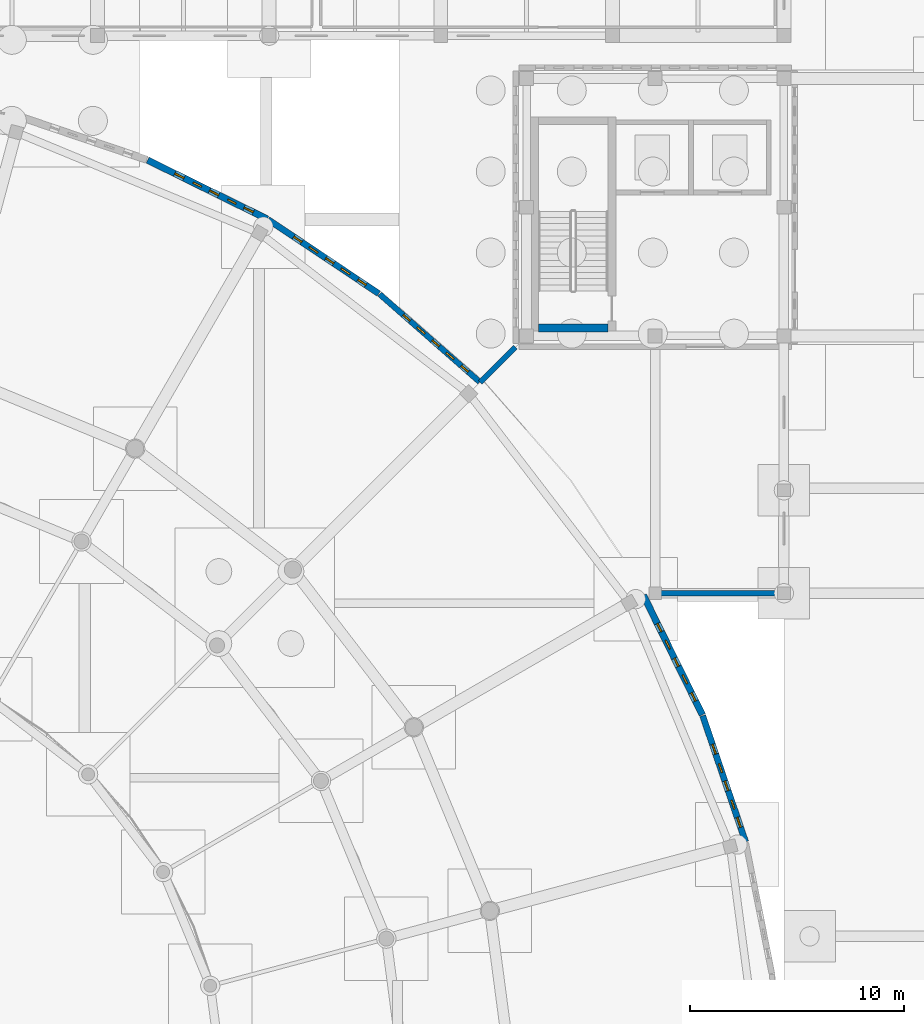
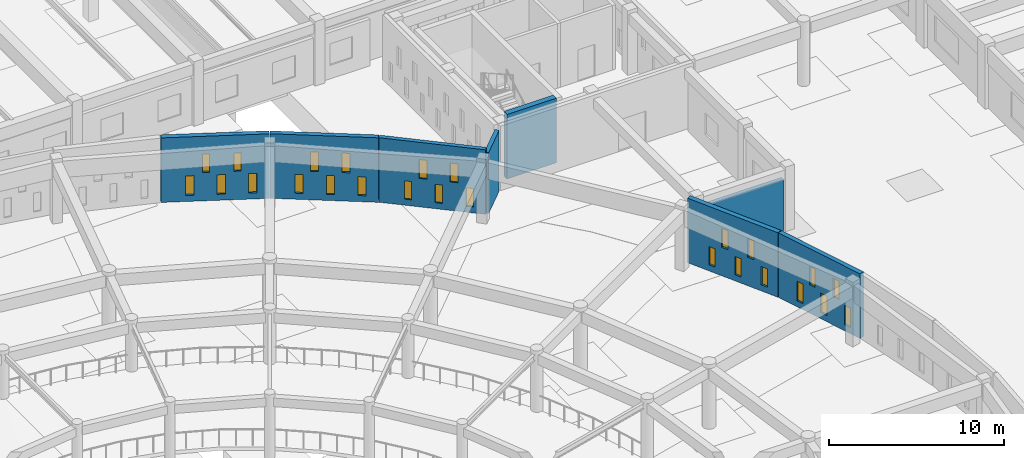
# One storey, part 55 of 84: 25 windows, 8 walls, 25 openings.
"""IFC4 building model written with IfcOpenShell, lengths in metres."""

from ifc_helpers import new_model, si_unit, direction, frame, frame_2d, origin, place, context, subcontext, project, spatial, rectangle, extrude, material, layer, layer_set, type_object, element, fill, save


model = new_model("IFC4")

# Units and contexts
model_context = context("Model", 3, precision=1e-05, world=origin(), true_north=direction((0.0, 1.0)))
body_context = subcontext(model_context, "Body", "Model", "MODEL_VIEW")
ifc_project = project(units=[si_unit("LENGTHUNIT", "METRE"), si_unit("AREAUNIT", "SQUARE_METRE"), si_unit("VOLUMEUNIT", "CUBIC_METRE"), si_unit("PLANEANGLEUNIT", "RADIAN"), si_unit("MASSUNIT", "GRAM", prefix="KILO")], contexts=[model_context])

# Site, building, storey
site_placement = place(None, origin())
site = spatial("IfcSite", under=ifc_project, at=site_placement, CompositionType="ELEMENT")
building_placement = place(site_placement, origin())
building = spatial("IfcBuilding", under=site, at=building_placement, Name="Larkveld Mobility Hub", CompositionType="ELEMENT")
storey_placement = place(building_placement, origin())
storey = spatial("IfcBuildingStorey", under=building, at=storey_placement, Name="L00", CompositionType="ELEMENT", Elevation=0.0)

# Wall, openings, windows
ifc_material_1 = material(Name="Fired clay brick 25 MPa", Category="masonry")
ifc_layer_1 = layer(ifc_material_1, 0.260009765625, Name="Fired clay brick 25 MPa", Category="masonry")
ifc_layer_set_1 = layer_set([ifc_layer_1], Name="Fired clay brick 25 MPa")
wall_type_1 = type_object("IfcWallType", Name="WL-BRK-260", PredefinedType="USERDEFINED", material=ifc_layer_set_1)
wall_1_placement = place(storey_placement, frame((81.81689453125, 81.85107421875, 0.0), z_axis=(0.0, 0.0, 1.0), x_axis=(-0.751874993266, 0.65930569124, 0.0)))
wall_1 = element("IfcWall", 1, at=wall_1_placement, inside=storey, type_object=wall_type_1, Name="Drum Woven Open-Bond Brick Chord L00-0005", ObjectType="PERFORATED BRICK SCREEN", PredefinedType="USERDEFINED", context=body_context, shape_type="SweptSolid", body=[
    extrude(rectangle(XDim=6.2109375, YDim=0.260009765625, at=frame_2d((3.10546875, 0.0))), origin(), (0.0, 0.0, 1.0), 4.5),
])
opening_1_placement = place(wall_1_placement, frame((0.719970703125, 0.0, 0.419921875)))
opening_1 = element("IfcOpeningElement", 2, at=opening_1_placement, cuts=wall_1, Name="Opening W01", PredefinedType="OPENING", context=body_context, shape_type="SweptSolid", body=[
    extrude(rectangle(XDim=0.419921875, YDim=1.280029296875, at=frame_2d((0.2099609375, 0.64013671875))), frame((0.0, 0.14013671875, 0.0), z_axis=(0.0, -1.0, 0.0), x_axis=(1.0, 0.0, 0.0)), (0.0, 0.0, 1.0), 0.280029296875),
])
opening_2_placement = place(wall_1_placement, frame((2.52001953125, 0.0, 0.419921875)))
opening_2 = element("IfcOpeningElement", 3, at=opening_2_placement, cuts=wall_1, Name="Opening W01", PredefinedType="OPENING", context=body_context, shape_type="SweptSolid", body=[
    extrude(rectangle(XDim=0.419921875, YDim=1.280029296875, at=frame_2d((0.2099609375, 0.64013671875))), frame((0.0, 0.14013671875, 0.0), z_axis=(0.0, -1.0, 0.0), x_axis=(1.0, 0.0, 0.0)), (0.0, 0.0, 1.0), 0.280029296875),
])
opening_3_placement = place(wall_1_placement, frame((4.320068359375, 0.0, 0.419921875)))
opening_3 = element("IfcOpeningElement", 4, at=opening_3_placement, cuts=wall_1, Name="Opening W01", PredefinedType="OPENING", context=body_context, shape_type="SweptSolid", body=[
    extrude(rectangle(XDim=0.419921875, YDim=1.280029296875, at=frame_2d((0.2099609375, 0.64013671875))), frame((0.0, 0.14013671875, 0.0), z_axis=(0.0, -1.0, 0.0), x_axis=(1.0, 0.0, 0.0)), (0.0, 0.0, 1.0), 0.280029296875),
])
opening_4_placement = place(wall_1_placement, frame((1.6201171875, 0.0, 1.97998046875)))
opening_4 = element("IfcOpeningElement", 5, at=opening_4_placement, cuts=wall_1, Name="Opening W02", PredefinedType="OPENING", context=body_context, shape_type="SweptSolid", body=[
    extrude(rectangle(XDim=0.449951171875, YDim=1.320068359375, at=frame_2d((0.22509765625, 0.66015625))), frame((0.0, 0.14013671875, 0.0), z_axis=(0.0, -1.0, 0.0), x_axis=(1.0, 0.0, 0.0)), (0.0, 0.0, 1.0), 0.280029296875),
])
opening_5_placement = place(wall_1_placement, frame((3.419921875, 0.0, 1.97998046875)))
opening_5 = element("IfcOpeningElement", 6, at=opening_5_placement, cuts=wall_1, Name="Opening W02", PredefinedType="OPENING", context=body_context, shape_type="SweptSolid", body=[
    extrude(rectangle(XDim=0.449951171875, YDim=1.320068359375, at=frame_2d((0.22509765625, 0.66015625))), frame((0.0, 0.14013671875, 0.0), z_axis=(0.0, -1.0, 0.0), x_axis=(1.0, 0.0, 0.0)), (0.0, 0.0, 1.0), 0.280029296875),
])
ifc_material_2 = material(Name="Extruded aluminium ventilation grille", Category="aluminium")
window_type_1 = type_object("IfcWindowType", Name="WN-VENT-01", PartitioningType="SINGLE_PANEL", PredefinedType="WINDOW", material=ifc_material_2)
window_1_placement = place(opening_1_placement, origin())
window_1 = element("IfcWindow", 7, at=window_1_placement, inside=storey, type_object=window_type_1, Name="Window W01 (0021)", OverallHeight=1.280029296875, OverallWidth=0.419921875, PartitioningType="SINGLE_PANEL", PredefinedType="WINDOW", context=body_context, shape_type="SweptSolid", body=[
    extrude(rectangle(XDim=0.419921875, YDim=1.280029296875, at=frame_2d((0.2099609375, 0.64013671875))), frame((0.0, 0.030029296875, 0.0), z_axis=(0.0, -1.0, 0.0), x_axis=(1.0, 0.0, 0.0)), (0.0, 0.0, 1.0), 0.06005859375),
])
fill(opening_1, window_1)
window_2_placement = place(opening_2_placement, origin())
window_2 = element("IfcWindow", 8, at=window_2_placement, inside=storey, type_object=window_type_1, Name="Window W01 (0022)", OverallHeight=1.280029296875, OverallWidth=0.419921875, PartitioningType="SINGLE_PANEL", PredefinedType="WINDOW", context=body_context, shape_type="SweptSolid", body=[
    extrude(rectangle(XDim=0.419921875, YDim=1.280029296875, at=frame_2d((0.2099609375, 0.64013671875))), frame((0.0, 0.030029296875, 0.0), z_axis=(0.0, -1.0, 0.0), x_axis=(1.0, 0.0, 0.0)), (0.0, 0.0, 1.0), 0.06005859375),
])
fill(opening_2, window_2)
window_3_placement = place(opening_3_placement, origin())
window_3 = element("IfcWindow", 9, at=window_3_placement, inside=storey, type_object=window_type_1, Name="Window W01 (0023)", OverallHeight=1.280029296875, OverallWidth=0.419921875, PartitioningType="SINGLE_PANEL", PredefinedType="WINDOW", context=body_context, shape_type="SweptSolid", body=[
    extrude(rectangle(XDim=0.419921875, YDim=1.280029296875, at=frame_2d((0.2099609375, 0.64013671875))), frame((0.0, 0.030029296875, 0.0), z_axis=(0.0, -1.0, 0.0), x_axis=(1.0, 0.0, 0.0)), (0.0, 0.0, 1.0), 0.06005859375),
])
fill(opening_3, window_3)
window_type_2 = type_object("IfcWindowType", Name="WN-VENT-02", PartitioningType="SINGLE_PANEL", PredefinedType="WINDOW", material=ifc_material_2)
window_4_placement = place(opening_4_placement, origin())
window_4 = element("IfcWindow", 10, at=window_4_placement, inside=storey, type_object=window_type_2, Name="Window W02 (0024)", OverallHeight=1.320068359375, OverallWidth=0.449951171875, PartitioningType="SINGLE_PANEL", PredefinedType="WINDOW", context=body_context, shape_type="SweptSolid", body=[
    extrude(rectangle(XDim=0.449951171875, YDim=1.320068359375, at=frame_2d((0.22509765625, 0.66015625))), frame((0.0, 0.030029296875, 0.0), z_axis=(0.0, -1.0, 0.0), x_axis=(1.0, 0.0, 0.0)), (0.0, 0.0, 1.0), 0.06005859375),
])
fill(opening_4, window_4)
window_5_placement = place(opening_5_placement, origin())
window_5 = element("IfcWindow", 11, at=window_5_placement, inside=storey, type_object=window_type_2, Name="Window W02 (0025)", OverallHeight=1.320068359375, OverallWidth=0.449951171875, PartitioningType="SINGLE_PANEL", PredefinedType="WINDOW", context=body_context, shape_type="SweptSolid", body=[
    extrude(rectangle(XDim=0.449951171875, YDim=1.320068359375, at=frame_2d((0.22509765625, 0.66015625))), frame((0.0, 0.030029296875, 0.0), z_axis=(0.0, -1.0, 0.0), x_axis=(1.0, 0.0, 0.0)), (0.0, 0.0, 1.0), 0.06005859375),
])
fill(opening_5, window_5)

# Walls
wall_2_placement = place(storey_placement, frame((89.7490234375, 72.0, 0.0), z_axis=(0.0, 0.0, 1.0), x_axis=(1.0, 0.0, 0.0)))
element("IfcWall", 12, at=wall_2_placement, inside=storey, type_object=wall_type_1, Name="Drum Link South Wall L00-0157", ObjectType="PERFORATED BRICK SCREEN", PredefinedType="USERDEFINED", context=body_context, shape_type="SweptSolid", body=[
    extrude(rectangle(XDim=5.94091796875, YDim=0.260009765625, at=frame_2d((2.970458984375, 0.0))), origin(), (0.0, 0.0, 1.0), 3.544921875),
])
wall_3_placement = place(storey_placement, frame((83.47998046875, 83.47998046875, 0.0), z_axis=(0.0, 0.0, 1.0), x_axis=(-0.707106781187, -0.707106781187, 0.0)))
element("IfcWall", 13, at=wall_3_placement, inside=storey, type_object=wall_type_1, Name="Drum Link West Seal Wall L00-0159", ObjectType="PERFORATED BRICK SCREEN", PredefinedType="USERDEFINED", context=body_context, shape_type="SweptSolid", body=[
    extrude(rectangle(XDim=2.326416015625, YDim=0.260009765625, at=frame_2d((1.1630859375, 0.0))), origin(), (0.0, 0.0, 1.0), 4.2451171875),
])

# Wall, openings, windows
ifc_layer_2 = layer(ifc_material_1, 0.2900390625, Name="Fired clay brick 25 MPa", Category="masonry")
ifc_layer_set_2 = layer_set([ifc_layer_2], Name="Fired clay brick 25 MPa")
wall_type_2 = type_object("IfcWallType", Name="WL-BRK-290", PredefinedType="USERDEFINED", material=ifc_layer_set_2)
wall_4_placement = place(storey_placement, frame((94.2119140625, 60.406982421875, 0.0), z_axis=(0.0, 0.0, 1.0), x_axis=(-0.321364960579, 0.946955417172, 0.0)))
wall_4 = element("IfcWall", 14, at=wall_4_placement, inside=storey, type_object=wall_type_2, Name="Drum Woven Open-Bond Brick Chord L00-0003", ObjectType="PERFORATED BRICK SCREEN", PredefinedType="USERDEFINED", context=body_context, shape_type="SweptSolid", body=[
    extrude(rectangle(XDim=6.21044921875, YDim=0.2900390625, at=frame_2d((3.105224609375, 0.0))), origin(), (0.0, 0.0, 1.0), 4.5),
])
opening_6_placement = place(wall_4_placement, frame((0.719970703125, 0.0, 0.419921875)))
opening_6 = element("IfcOpeningElement", 15, at=opening_6_placement, cuts=wall_4, Name="Opening W03", PredefinedType="OPENING", context=body_context, shape_type="SweptSolid", body=[
    extrude(rectangle(XDim=0.47998046875, YDim=1.360107421875, at=frame_2d((0.239990234375, 0.68017578125))), frame((0.0, 0.155029296875, 0.0), z_axis=(0.0, -1.0, 0.0), x_axis=(1.0, 0.0, 0.0)), (0.0, 0.0, 1.0), 0.31005859375),
])
opening_7_placement = place(wall_4_placement, frame((2.52001953125, 0.0, 0.419921875)))
opening_7 = element("IfcOpeningElement", 16, at=opening_7_placement, cuts=wall_4, Name="Opening W03", PredefinedType="OPENING", context=body_context, shape_type="SweptSolid", body=[
    extrude(rectangle(XDim=0.47998046875, YDim=1.360107421875, at=frame_2d((0.239990234375, 0.68017578125))), frame((0.0, 0.155029296875, 0.0), z_axis=(0.0, -1.0, 0.0), x_axis=(1.0, 0.0, 0.0)), (0.0, 0.0, 1.0), 0.31005859375),
])
opening_8_placement = place(wall_4_placement, frame((4.320068359375, 0.0, 0.419921875)))
opening_8 = element("IfcOpeningElement", 17, at=opening_8_placement, cuts=wall_4, Name="Opening W03", PredefinedType="OPENING", context=body_context, shape_type="SweptSolid", body=[
    extrude(rectangle(XDim=0.47998046875, YDim=1.360107421875, at=frame_2d((0.239990234375, 0.68017578125))), frame((0.0, 0.155029296875, 0.0), z_axis=(0.0, -1.0, 0.0), x_axis=(1.0, 0.0, 0.0)), (0.0, 0.0, 1.0), 0.31005859375),
])
opening_9_placement = place(wall_4_placement, frame((1.6201171875, 0.0, 1.97998046875)))
opening_9 = element("IfcOpeningElement", 18, at=opening_9_placement, cuts=wall_4, Name="Opening W01", PredefinedType="OPENING", context=body_context, shape_type="SweptSolid", body=[
    extrude(rectangle(XDim=0.419921875, YDim=1.280029296875, at=frame_2d((0.2099609375, 0.64013671875))), frame((0.0, 0.155029296875, 0.0), z_axis=(0.0, -1.0, 0.0), x_axis=(1.0, 0.0, 0.0)), (0.0, 0.0, 1.0), 0.31005859375),
])
opening_10_placement = place(wall_4_placement, frame((3.419921875, 0.0, 1.97998046875)))
opening_10 = element("IfcOpeningElement", 19, at=opening_10_placement, cuts=wall_4, Name="Opening W01", PredefinedType="OPENING", context=body_context, shape_type="SweptSolid", body=[
    extrude(rectangle(XDim=0.419921875, YDim=1.280029296875, at=frame_2d((0.2099609375, 0.64013671875))), frame((0.0, 0.155029296875, 0.0), z_axis=(0.0, -1.0, 0.0), x_axis=(1.0, 0.0, 0.0)), (0.0, 0.0, 1.0), 0.31005859375),
])
window_6_placement = place(opening_9_placement, origin())
window_6 = element("IfcWindow", 20, at=window_6_placement, inside=storey, type_object=window_type_1, Name="Window W01 (0014)", OverallHeight=1.280029296875, OverallWidth=0.419921875, PartitioningType="SINGLE_PANEL", PredefinedType="WINDOW", context=body_context, shape_type="SweptSolid", body=[
    extrude(rectangle(XDim=0.419921875, YDim=1.280029296875, at=frame_2d((0.2099609375, 0.64013671875))), frame((0.0, 0.030029296875, 0.0), z_axis=(0.0, -1.0, 0.0), x_axis=(1.0, 0.0, 0.0)), (0.0, 0.0, 1.0), 0.06005859375),
])
fill(opening_9, window_6)
window_7_placement = place(opening_10_placement, origin())
window_7 = element("IfcWindow", 21, at=window_7_placement, inside=storey, type_object=window_type_1, Name="Window W01 (0015)", OverallHeight=1.280029296875, OverallWidth=0.419921875, PartitioningType="SINGLE_PANEL", PredefinedType="WINDOW", context=body_context, shape_type="SweptSolid", body=[
    extrude(rectangle(XDim=0.419921875, YDim=1.280029296875, at=frame_2d((0.2099609375, 0.64013671875))), frame((0.0, 0.030029296875, 0.0), z_axis=(0.0, -1.0, 0.0), x_axis=(1.0, 0.0, 0.0)), (0.0, 0.0, 1.0), 0.06005859375),
])
fill(opening_10, window_7)
window_type_3 = type_object("IfcWindowType", Name="WN-VENT-03", PartitioningType="SINGLE_PANEL", PredefinedType="WINDOW", material=ifc_material_2)
window_8_placement = place(opening_6_placement, origin())
window_8 = element("IfcWindow", 22, at=window_8_placement, inside=storey, type_object=window_type_3, Name="Window W03 (0011)", OverallHeight=1.360107421875, OverallWidth=0.47998046875, PartitioningType="SINGLE_PANEL", PredefinedType="WINDOW", context=body_context, shape_type="SweptSolid", body=[
    extrude(rectangle(XDim=0.47998046875, YDim=1.360107421875, at=frame_2d((0.239990234375, 0.68017578125))), frame((0.0, 0.030029296875, 0.0), z_axis=(0.0, -1.0, 0.0), x_axis=(1.0, 0.0, 0.0)), (0.0, 0.0, 1.0), 0.06005859375),
])
fill(opening_6, window_8)
window_9_placement = place(opening_7_placement, origin())
window_9 = element("IfcWindow", 23, at=window_9_placement, inside=storey, type_object=window_type_3, Name="Window W03 (0012)", OverallHeight=1.360107421875, OverallWidth=0.47998046875, PartitioningType="SINGLE_PANEL", PredefinedType="WINDOW", context=body_context, shape_type="SweptSolid", body=[
    extrude(rectangle(XDim=0.47998046875, YDim=1.360107421875, at=frame_2d((0.239990234375, 0.68017578125))), frame((0.0, 0.030029296875, 0.0), z_axis=(0.0, -1.0, 0.0), x_axis=(1.0, 0.0, 0.0)), (0.0, 0.0, 1.0), 0.06005859375),
])
fill(opening_7, window_9)
window_10_placement = place(opening_8_placement, origin())
window_10 = element("IfcWindow", 24, at=window_10_placement, inside=storey, type_object=window_type_3, Name="Window W03 (0013)", OverallHeight=1.360107421875, OverallWidth=0.47998046875, PartitioningType="SINGLE_PANEL", PredefinedType="WINDOW", context=body_context, shape_type="SweptSolid", body=[
    extrude(rectangle(XDim=0.47998046875, YDim=1.360107421875, at=frame_2d((0.239990234375, 0.68017578125))), frame((0.0, 0.030029296875, 0.0), z_axis=(0.0, -1.0, 0.0), x_axis=(1.0, 0.0, 0.0)), (0.0, 0.0, 1.0), 0.06005859375),
])
fill(opening_8, window_10)

wall_5_placement = place(storey_placement, frame((77.10888671875, 85.97509765625, 0.0), z_axis=(0.0, 0.0, 1.0), x_axis=(-0.831426871608, 0.555634193664, 0.0)))
wall_5 = element("IfcWall", 25, at=wall_5_placement, inside=storey, type_object=wall_type_2, Name="Drum Woven Open-Bond Brick Chord L00-0006", ObjectType="PERFORATED BRICK SCREEN", PredefinedType="USERDEFINED", context=body_context, shape_type="SweptSolid", body=[
    extrude(rectangle(XDim=6.210693359375, YDim=0.2900390625, at=frame_2d((3.10546875, 0.0))), origin(), (0.0, 0.0, 1.0), 4.5),
])
opening_11_placement = place(wall_5_placement, frame((0.719970703125, 0.0, 0.419921875)))
opening_11 = element("IfcOpeningElement", 26, at=opening_11_placement, cuts=wall_5, Name="Opening W02", PredefinedType="OPENING", context=body_context, shape_type="SweptSolid", body=[
    extrude(rectangle(XDim=0.449951171875, YDim=1.320068359375, at=frame_2d((0.22509765625, 0.66015625))), frame((0.0, 0.155029296875, 0.0), z_axis=(0.0, -1.0, 0.0), x_axis=(1.0, 0.0, 0.0)), (0.0, 0.0, 1.0), 0.31005859375),
])
opening_12_placement = place(wall_5_placement, frame((2.52001953125, 0.0, 0.419921875)))
opening_12 = element("IfcOpeningElement", 27, at=opening_12_placement, cuts=wall_5, Name="Opening W02", PredefinedType="OPENING", context=body_context, shape_type="SweptSolid", body=[
    extrude(rectangle(XDim=0.449951171875, YDim=1.320068359375, at=frame_2d((0.22509765625, 0.66015625))), frame((0.0, 0.155029296875, 0.0), z_axis=(0.0, -1.0, 0.0), x_axis=(1.0, 0.0, 0.0)), (0.0, 0.0, 1.0), 0.31005859375),
])
opening_13_placement = place(wall_5_placement, frame((4.320068359375, 0.0, 0.419921875)))
opening_13 = element("IfcOpeningElement", 28, at=opening_13_placement, cuts=wall_5, Name="Opening W02", PredefinedType="OPENING", context=body_context, shape_type="SweptSolid", body=[
    extrude(rectangle(XDim=0.449951171875, YDim=1.320068359375, at=frame_2d((0.22509765625, 0.66015625))), frame((0.0, 0.155029296875, 0.0), z_axis=(0.0, -1.0, 0.0), x_axis=(1.0, 0.0, 0.0)), (0.0, 0.0, 1.0), 0.31005859375),
])
opening_14_placement = place(wall_5_placement, frame((1.6201171875, 0.0, 1.97998046875)))
opening_14 = element("IfcOpeningElement", 29, at=opening_14_placement, cuts=wall_5, Name="Opening W03", PredefinedType="OPENING", context=body_context, shape_type="SweptSolid", body=[
    extrude(rectangle(XDim=0.47998046875, YDim=1.360107421875, at=frame_2d((0.239990234375, 0.68017578125))), frame((0.0, 0.155029296875, 0.0), z_axis=(0.0, -1.0, 0.0), x_axis=(1.0, 0.0, 0.0)), (0.0, 0.0, 1.0), 0.31005859375),
])
opening_15_placement = place(wall_5_placement, frame((3.419921875, 0.0, 1.97998046875)))
opening_15 = element("IfcOpeningElement", 30, at=opening_15_placement, cuts=wall_5, Name="Opening W03", PredefinedType="OPENING", context=body_context, shape_type="SweptSolid", body=[
    extrude(rectangle(XDim=0.47998046875, YDim=1.360107421875, at=frame_2d((0.239990234375, 0.68017578125))), frame((0.0, 0.155029296875, 0.0), z_axis=(0.0, -1.0, 0.0), x_axis=(1.0, 0.0, 0.0)), (0.0, 0.0, 1.0), 0.31005859375),
])
window_11_placement = place(opening_11_placement, origin())
window_11 = element("IfcWindow", 31, at=window_11_placement, inside=storey, type_object=window_type_2, Name="Window W02 (0026)", OverallHeight=1.320068359375, OverallWidth=0.449951171875, PartitioningType="SINGLE_PANEL", PredefinedType="WINDOW", context=body_context, shape_type="SweptSolid", body=[
    extrude(rectangle(XDim=0.449951171875, YDim=1.320068359375, at=frame_2d((0.22509765625, 0.66015625))), frame((0.0, 0.030029296875, 0.0), z_axis=(0.0, -1.0, 0.0), x_axis=(1.0, 0.0, 0.0)), (0.0, 0.0, 1.0), 0.06005859375),
])
fill(opening_11, window_11)
window_12_placement = place(opening_12_placement, origin())
window_12 = element("IfcWindow", 32, at=window_12_placement, inside=storey, type_object=window_type_2, Name="Window W02 (0027)", OverallHeight=1.320068359375, OverallWidth=0.449951171875, PartitioningType="SINGLE_PANEL", PredefinedType="WINDOW", context=body_context, shape_type="SweptSolid", body=[
    extrude(rectangle(XDim=0.449951171875, YDim=1.320068359375, at=frame_2d((0.22509765625, 0.66015625))), frame((0.0, 0.030029296875, 0.0), z_axis=(0.0, -1.0, 0.0), x_axis=(1.0, 0.0, 0.0)), (0.0, 0.0, 1.0), 0.06005859375),
])
fill(opening_12, window_12)
window_13_placement = place(opening_13_placement, origin())
window_13 = element("IfcWindow", 33, at=window_13_placement, inside=storey, type_object=window_type_2, Name="Window W02 (0028)", OverallHeight=1.320068359375, OverallWidth=0.449951171875, PartitioningType="SINGLE_PANEL", PredefinedType="WINDOW", context=body_context, shape_type="SweptSolid", body=[
    extrude(rectangle(XDim=0.449951171875, YDim=1.320068359375, at=frame_2d((0.22509765625, 0.66015625))), frame((0.0, 0.030029296875, 0.0), z_axis=(0.0, -1.0, 0.0), x_axis=(1.0, 0.0, 0.0)), (0.0, 0.0, 1.0), 0.06005859375),
])
fill(opening_13, window_13)
window_14_placement = place(opening_14_placement, origin())
window_14 = element("IfcWindow", 34, at=window_14_placement, inside=storey, type_object=window_type_3, Name="Window W03 (0029)", OverallHeight=1.360107421875, OverallWidth=0.47998046875, PartitioningType="SINGLE_PANEL", PredefinedType="WINDOW", context=body_context, shape_type="SweptSolid", body=[
    extrude(rectangle(XDim=0.47998046875, YDim=1.360107421875, at=frame_2d((0.239990234375, 0.68017578125))), frame((0.0, 0.030029296875, 0.0), z_axis=(0.0, -1.0, 0.0), x_axis=(1.0, 0.0, 0.0)), (0.0, 0.0, 1.0), 0.06005859375),
])
fill(opening_14, window_14)
window_15_placement = place(opening_15_placement, origin())
window_15 = element("IfcWindow", 35, at=window_15_placement, inside=storey, type_object=window_type_3, Name="Window W03 (0030)", OverallHeight=1.360107421875, OverallWidth=0.47998046875, PartitioningType="SINGLE_PANEL", PredefinedType="WINDOW", context=body_context, shape_type="SweptSolid", body=[
    extrude(rectangle(XDim=0.47998046875, YDim=1.360107421875, at=frame_2d((0.239990234375, 0.68017578125))), frame((0.0, 0.030029296875, 0.0), z_axis=(0.0, -1.0, 0.0), x_axis=(1.0, 0.0, 0.0)), (0.0, 0.0, 1.0), 0.06005859375),
])
fill(opening_15, window_15)

ifc_layer_3 = layer(ifc_material_1, 0.31005859375, Name="Fired clay brick 25 MPa", Category="masonry")
ifc_layer_set_3 = layer_set([ifc_layer_3], Name="Fired clay brick 25 MPa")
wall_type_3 = type_object("IfcWallType", Name="WL-BRK-310", PredefinedType="USERDEFINED", material=ifc_layer_set_3)
wall_6_placement = place(storey_placement, frame((92.197021484375, 66.3330078125, 0.0), z_axis=(0.0, 0.0, 1.0), x_axis=(-0.442316740488, 0.896858908126, 0.0)))
wall_6 = element("IfcWall", 36, at=wall_6_placement, inside=storey, type_object=wall_type_3, Name="Drum Woven Open-Bond Brick Chord L00-0004", ObjectType="PERFORATED BRICK SCREEN", PredefinedType="USERDEFINED", context=body_context, shape_type="SweptSolid", body=[
    extrude(rectangle(XDim=6.210693359375, YDim=0.31005859375, at=frame_2d((3.10546875, 0.0))), origin(), (0.0, 0.0, 1.0), 4.5),
])
opening_16_placement = place(wall_6_placement, frame((0.719970703125, 0.0, 0.419921875)))
opening_16 = element("IfcOpeningElement", 37, at=opening_16_placement, cuts=wall_6, Name="Opening W01", PredefinedType="OPENING", context=body_context, shape_type="SweptSolid", body=[
    extrude(rectangle(XDim=0.419921875, YDim=1.280029296875, at=frame_2d((0.2099609375, 0.64013671875))), frame((0.0, 0.1650390625, 0.0), z_axis=(0.0, -1.0, 0.0), x_axis=(1.0, 0.0, 0.0)), (0.0, 0.0, 1.0), 0.330078125),
])
opening_17_placement = place(wall_6_placement, frame((2.52001953125, 0.0, 0.419921875)))
opening_17 = element("IfcOpeningElement", 38, at=opening_17_placement, cuts=wall_6, Name="Opening W01", PredefinedType="OPENING", context=body_context, shape_type="SweptSolid", body=[
    extrude(rectangle(XDim=0.419921875, YDim=1.280029296875, at=frame_2d((0.2099609375, 0.64013671875))), frame((0.0, 0.1650390625, 0.0), z_axis=(0.0, -1.0, 0.0), x_axis=(1.0, 0.0, 0.0)), (0.0, 0.0, 1.0), 0.330078125),
])
opening_18_placement = place(wall_6_placement, frame((4.320068359375, 0.0, 0.419921875)))
opening_18 = element("IfcOpeningElement", 39, at=opening_18_placement, cuts=wall_6, Name="Opening W01", PredefinedType="OPENING", context=body_context, shape_type="SweptSolid", body=[
    extrude(rectangle(XDim=0.419921875, YDim=1.280029296875, at=frame_2d((0.2099609375, 0.64013671875))), frame((0.0, 0.1650390625, 0.0), z_axis=(0.0, -1.0, 0.0), x_axis=(1.0, 0.0, 0.0)), (0.0, 0.0, 1.0), 0.330078125),
])
opening_19_placement = place(wall_6_placement, frame((1.6201171875, 0.0, 1.97998046875)))
opening_19 = element("IfcOpeningElement", 40, at=opening_19_placement, cuts=wall_6, Name="Opening W02", PredefinedType="OPENING", context=body_context, shape_type="SweptSolid", body=[
    extrude(rectangle(XDim=0.449951171875, YDim=1.320068359375, at=frame_2d((0.22509765625, 0.66015625))), frame((0.0, 0.1650390625, 0.0), z_axis=(0.0, -1.0, 0.0), x_axis=(1.0, 0.0, 0.0)), (0.0, 0.0, 1.0), 0.330078125),
])
opening_20_placement = place(wall_6_placement, frame((3.419921875, 0.0, 1.97998046875)))
opening_20 = element("IfcOpeningElement", 41, at=opening_20_placement, cuts=wall_6, Name="Opening W02", PredefinedType="OPENING", context=body_context, shape_type="SweptSolid", body=[
    extrude(rectangle(XDim=0.449951171875, YDim=1.320068359375, at=frame_2d((0.22509765625, 0.66015625))), frame((0.0, 0.1650390625, 0.0), z_axis=(0.0, -1.0, 0.0), x_axis=(1.0, 0.0, 0.0)), (0.0, 0.0, 1.0), 0.330078125),
])
window_16_placement = place(opening_16_placement, origin())
window_16 = element("IfcWindow", 42, at=window_16_placement, inside=storey, type_object=window_type_1, Name="Window W01 (0016)", OverallHeight=1.280029296875, OverallWidth=0.419921875, PartitioningType="SINGLE_PANEL", PredefinedType="WINDOW", context=body_context, shape_type="SweptSolid", body=[
    extrude(rectangle(XDim=0.419921875, YDim=1.280029296875, at=frame_2d((0.2099609375, 0.64013671875))), frame((0.0, 0.030029296875, 0.0), z_axis=(0.0, -1.0, 0.0), x_axis=(1.0, 0.0, 0.0)), (0.0, 0.0, 1.0), 0.06005859375),
])
fill(opening_16, window_16)
window_17_placement = place(opening_17_placement, origin())
window_17 = element("IfcWindow", 43, at=window_17_placement, inside=storey, type_object=window_type_1, Name="Window W01 (0017)", OverallHeight=1.280029296875, OverallWidth=0.419921875, PartitioningType="SINGLE_PANEL", PredefinedType="WINDOW", context=body_context, shape_type="SweptSolid", body=[
    extrude(rectangle(XDim=0.419921875, YDim=1.280029296875, at=frame_2d((0.2099609375, 0.64013671875))), frame((0.0, 0.030029296875, 0.0), z_axis=(0.0, -1.0, 0.0), x_axis=(1.0, 0.0, 0.0)), (0.0, 0.0, 1.0), 0.06005859375),
])
fill(opening_17, window_17)
window_18_placement = place(opening_18_placement, origin())
window_18 = element("IfcWindow", 44, at=window_18_placement, inside=storey, type_object=window_type_1, Name="Window W01 (0018)", OverallHeight=1.280029296875, OverallWidth=0.419921875, PartitioningType="SINGLE_PANEL", PredefinedType="WINDOW", context=body_context, shape_type="SweptSolid", body=[
    extrude(rectangle(XDim=0.419921875, YDim=1.280029296875, at=frame_2d((0.2099609375, 0.64013671875))), frame((0.0, 0.030029296875, 0.0), z_axis=(0.0, -1.0, 0.0), x_axis=(1.0, 0.0, 0.0)), (0.0, 0.0, 1.0), 0.06005859375),
])
fill(opening_18, window_18)
window_19_placement = place(opening_19_placement, origin())
window_19 = element("IfcWindow", 45, at=window_19_placement, inside=storey, type_object=window_type_2, Name="Window W02 (0019)", OverallHeight=1.320068359375, OverallWidth=0.449951171875, PartitioningType="SINGLE_PANEL", PredefinedType="WINDOW", context=body_context, shape_type="SweptSolid", body=[
    extrude(rectangle(XDim=0.449951171875, YDim=1.320068359375, at=frame_2d((0.22509765625, 0.66015625))), frame((0.0, 0.030029296875, 0.0), z_axis=(0.0, -1.0, 0.0), x_axis=(1.0, 0.0, 0.0)), (0.0, 0.0, 1.0), 0.06005859375),
])
fill(opening_19, window_19)
window_20_placement = place(opening_20_placement, origin())
window_20 = element("IfcWindow", 46, at=window_20_placement, inside=storey, type_object=window_type_2, Name="Window W02 (0020)", OverallHeight=1.320068359375, OverallWidth=0.449951171875, PartitioningType="SINGLE_PANEL", PredefinedType="WINDOW", context=body_context, shape_type="SweptSolid", body=[
    extrude(rectangle(XDim=0.449951171875, YDim=1.320068359375, at=frame_2d((0.22509765625, 0.66015625))), frame((0.0, 0.030029296875, 0.0), z_axis=(0.0, -1.0, 0.0), x_axis=(1.0, 0.0, 0.0)), (0.0, 0.0, 1.0), 0.06005859375),
])
fill(opening_20, window_20)

wall_7_placement = place(storey_placement, frame((71.903076171875, 89.449951171875, 0.0), z_axis=(0.0, 0.0, 1.0), x_axis=(-0.896858908126, 0.442316740488, 0.0)))
wall_7 = element("IfcWall", 47, at=wall_7_placement, inside=storey, type_object=wall_type_3, Name="Drum Woven Open-Bond Brick Chord L00-0007", ObjectType="PERFORATED BRICK SCREEN", PredefinedType="USERDEFINED", context=body_context, shape_type="SweptSolid", body=[
    extrude(rectangle(XDim=6.210693359375, YDim=0.31005859375, at=frame_2d((3.10546875, 0.0))), origin(), (0.0, 0.0, 1.0), 4.5),
])
opening_21_placement = place(wall_7_placement, frame((0.719970703125, 0.0, 0.419921875)))
opening_21 = element("IfcOpeningElement", 48, at=opening_21_placement, cuts=wall_7, Name="Opening W03", PredefinedType="OPENING", context=body_context, shape_type="SweptSolid", body=[
    extrude(rectangle(XDim=0.47998046875, YDim=1.360107421875, at=frame_2d((0.239990234375, 0.68017578125))), frame((0.0, 0.1650390625, 0.0), z_axis=(0.0, -1.0, 0.0), x_axis=(1.0, 0.0, 0.0)), (0.0, 0.0, 1.0), 0.330078125),
])
opening_22_placement = place(wall_7_placement, frame((2.52001953125, 0.0, 0.419921875)))
opening_22 = element("IfcOpeningElement", 49, at=opening_22_placement, cuts=wall_7, Name="Opening W03", PredefinedType="OPENING", context=body_context, shape_type="SweptSolid", body=[
    extrude(rectangle(XDim=0.47998046875, YDim=1.360107421875, at=frame_2d((0.239990234375, 0.68017578125))), frame((0.0, 0.1650390625, 0.0), z_axis=(0.0, -1.0, 0.0), x_axis=(1.0, 0.0, 0.0)), (0.0, 0.0, 1.0), 0.330078125),
])
opening_23_placement = place(wall_7_placement, frame((4.320068359375, 0.0, 0.419921875)))
opening_23 = element("IfcOpeningElement", 50, at=opening_23_placement, cuts=wall_7, Name="Opening W03", PredefinedType="OPENING", context=body_context, shape_type="SweptSolid", body=[
    extrude(rectangle(XDim=0.47998046875, YDim=1.360107421875, at=frame_2d((0.239990234375, 0.68017578125))), frame((0.0, 0.1650390625, 0.0), z_axis=(0.0, -1.0, 0.0), x_axis=(1.0, 0.0, 0.0)), (0.0, 0.0, 1.0), 0.330078125),
])
opening_24_placement = place(wall_7_placement, frame((1.6201171875, 0.0, 1.97998046875)))
opening_24 = element("IfcOpeningElement", 51, at=opening_24_placement, cuts=wall_7, Name="Opening W01", PredefinedType="OPENING", context=body_context, shape_type="SweptSolid", body=[
    extrude(rectangle(XDim=0.419921875, YDim=1.280029296875, at=frame_2d((0.2099609375, 0.64013671875))), frame((0.0, 0.1650390625, 0.0), z_axis=(0.0, -1.0, 0.0), x_axis=(1.0, 0.0, 0.0)), (0.0, 0.0, 1.0), 0.330078125),
])
opening_25_placement = place(wall_7_placement, frame((3.419921875, 0.0, 1.97998046875)))
opening_25 = element("IfcOpeningElement", 52, at=opening_25_placement, cuts=wall_7, Name="Opening W01", PredefinedType="OPENING", context=body_context, shape_type="SweptSolid", body=[
    extrude(rectangle(XDim=0.419921875, YDim=1.280029296875, at=frame_2d((0.2099609375, 0.64013671875))), frame((0.0, 0.1650390625, 0.0), z_axis=(0.0, -1.0, 0.0), x_axis=(1.0, 0.0, 0.0)), (0.0, 0.0, 1.0), 0.330078125),
])
window_21_placement = place(opening_24_placement, origin())
window_21 = element("IfcWindow", 53, at=window_21_placement, inside=storey, type_object=window_type_1, Name="Window W01 (0034)", OverallHeight=1.280029296875, OverallWidth=0.419921875, PartitioningType="SINGLE_PANEL", PredefinedType="WINDOW", context=body_context, shape_type="SweptSolid", body=[
    extrude(rectangle(XDim=0.419921875, YDim=1.280029296875, at=frame_2d((0.2099609375, 0.64013671875))), frame((0.0, 0.030029296875, 0.0), z_axis=(0.0, -1.0, 0.0), x_axis=(1.0, 0.0, 0.0)), (0.0, 0.0, 1.0), 0.06005859375),
])
fill(opening_24, window_21)
window_22_placement = place(opening_25_placement, origin())
window_22 = element("IfcWindow", 54, at=window_22_placement, inside=storey, type_object=window_type_1, Name="Window W01 (0035)", OverallHeight=1.280029296875, OverallWidth=0.419921875, PartitioningType="SINGLE_PANEL", PredefinedType="WINDOW", context=body_context, shape_type="SweptSolid", body=[
    extrude(rectangle(XDim=0.419921875, YDim=1.280029296875, at=frame_2d((0.2099609375, 0.64013671875))), frame((0.0, 0.030029296875, 0.0), z_axis=(0.0, -1.0, 0.0), x_axis=(1.0, 0.0, 0.0)), (0.0, 0.0, 1.0), 0.06005859375),
])
fill(opening_25, window_22)
window_23_placement = place(opening_21_placement, origin())
window_23 = element("IfcWindow", 55, at=window_23_placement, inside=storey, type_object=window_type_3, Name="Window W03 (0031)", OverallHeight=1.360107421875, OverallWidth=0.47998046875, PartitioningType="SINGLE_PANEL", PredefinedType="WINDOW", context=body_context, shape_type="SweptSolid", body=[
    extrude(rectangle(XDim=0.47998046875, YDim=1.360107421875, at=frame_2d((0.239990234375, 0.68017578125))), frame((0.0, 0.030029296875, 0.0), z_axis=(0.0, -1.0, 0.0), x_axis=(1.0, 0.0, 0.0)), (0.0, 0.0, 1.0), 0.06005859375),
])
fill(opening_21, window_23)
window_24_placement = place(opening_22_placement, origin())
window_24 = element("IfcWindow", 56, at=window_24_placement, inside=storey, type_object=window_type_3, Name="Window W03 (0032)", OverallHeight=1.360107421875, OverallWidth=0.47998046875, PartitioningType="SINGLE_PANEL", PredefinedType="WINDOW", context=body_context, shape_type="SweptSolid", body=[
    extrude(rectangle(XDim=0.47998046875, YDim=1.360107421875, at=frame_2d((0.239990234375, 0.68017578125))), frame((0.0, 0.030029296875, 0.0), z_axis=(0.0, -1.0, 0.0), x_axis=(1.0, 0.0, 0.0)), (0.0, 0.0, 1.0), 0.06005859375),
])
fill(opening_22, window_24)
window_25_placement = place(opening_23_placement, origin())
window_25 = element("IfcWindow", 57, at=window_25_placement, inside=storey, type_object=window_type_3, Name="Window W03 (0033)", OverallHeight=1.360107421875, OverallWidth=0.47998046875, PartitioningType="SINGLE_PANEL", PredefinedType="WINDOW", context=body_context, shape_type="SweptSolid", body=[
    extrude(rectangle(XDim=0.47998046875, YDim=1.360107421875, at=frame_2d((0.239990234375, 0.68017578125))), frame((0.0, 0.030029296875, 0.0), z_axis=(0.0, -1.0, 0.0), x_axis=(1.0, 0.0, 0.0)), (0.0, 0.0, 1.0), 0.06005859375),
])
fill(opening_23, window_25)

# Wall
ifc_material_3 = material(Name="Concrete C40/50", Category="concrete")
ifc_layer_4 = layer(ifc_material_3, 0.360107421875, Name="Concrete C40/50", Category="concrete")
ifc_layer_set_4 = layer_set([ifc_layer_4], Name="Concrete C40/50")
wall_type_4 = type_object("IfcWallType", Name="WL-SHR-05", PredefinedType="SHEAR", material=ifc_layer_set_4)
wall_8_placement = place(storey_placement, frame((87.800048828125, 84.3701171875, 0.0), z_axis=(0.0, 0.0, 1.0), x_axis=(-1.0, 0.0, 0.0)))
element("IfcWall", 58, at=wall_8_placement, inside=storey, type_object=wall_type_4, Name="Core C5 Stair Shear Wall L00-S", PredefinedType="SHEAR", context=body_context, shape_type="SweptSolid", body=[
    extrude(rectangle(XDim=3.25, YDim=0.360107421875, at=frame_2d((1.625, 0.0))), origin(), (0.0, 0.0, 1.0), 4.5),
])

save(model, "model.ifc")
